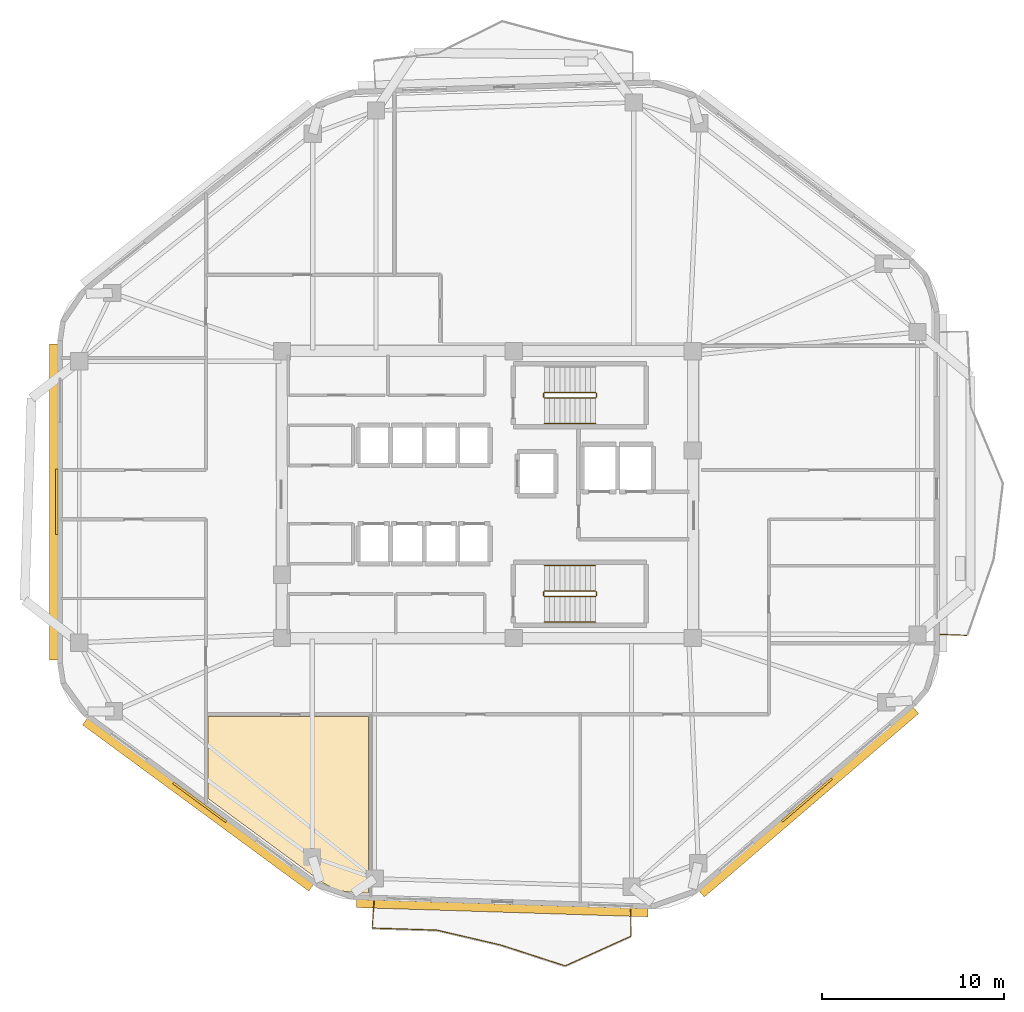
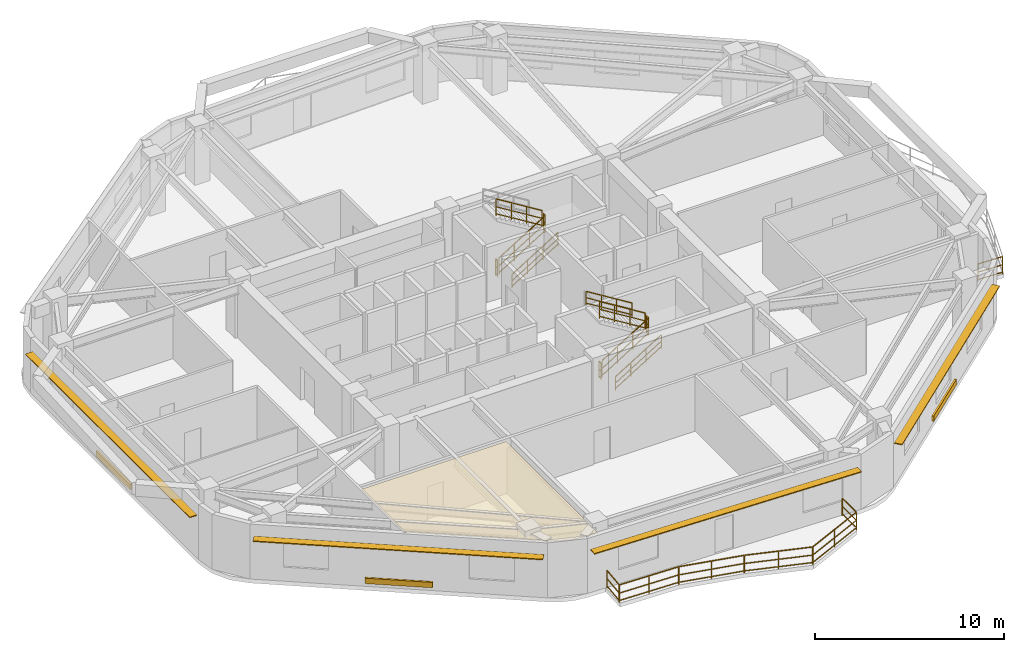
# One storey, part 7 of 8: 18 railings, 7 shading devices, 1 covering.
"""IFC4 building model written with IfcOpenShell, lengths in metres."""

from ifc_helpers import new_model, si_unit, direction, frame, origin, origin_2d, place, context, subcontext, project, spatial, polyline, rectangle, outline, extrude, material, layer, layer_set, type_object, element, save


model = new_model("IFC4")

# Units and contexts
model_context = context("Model", 3, precision=1e-05, world=origin(), true_north=direction((0.0, 1.0)))
body_context = subcontext(model_context, "Body", "Model", "MODEL_VIEW")
ifc_project = project(units=[si_unit("LENGTHUNIT", "METRE"), si_unit("AREAUNIT", "SQUARE_METRE"), si_unit("VOLUMEUNIT", "CUBIC_METRE"), si_unit("PLANEANGLEUNIT", "RADIAN"), si_unit("MASSUNIT", "GRAM", prefix="KILO")], contexts=[model_context])

# Site, building, storey
site_placement = place(None, origin())
site = spatial("IfcSite", under=ifc_project, at=site_placement, CompositionType="ELEMENT")
building_placement = place(site_placement, origin())
building = spatial("IfcBuilding", under=site, at=building_placement, Name="Zulverin Broadcast Headquarters", CompositionType="ELEMENT")
storey_placement = place(building_placement, frame((0.0, 0.0, 182.0)))
storey = spatial("IfcBuildingStorey", under=building, at=storey_placement, Name="L46", CompositionType="ELEMENT", Elevation=182.0)

# Covering
ifc_material_1 = material(Name="Perforated pale-metal acoustic baffle ceiling", Category="aluminium")
ifc_layer_1 = layer(ifc_material_1, 0.0400390625, Name="Perforated pale-metal acoustic baffle ceiling", Category="aluminium")
ifc_layer_set_1 = layer_set([ifc_layer_1], Name="Perforated pale-metal acoustic baffle ceiling")
covering_type = type_object("IfcCoveringType", Name="COV-CEIL-ACOU", PredefinedType="CEILING", material=ifc_layer_set_1)
covering_placement = place(storey_placement, frame((0.0, 0.0, 3.360107421875)))
element("IfcCovering", 1, at=covering_placement, inside=storey, type_object=covering_type, Name="L46 Acoustic Baffle Ceiling 03", PredefinedType="CEILING", context=body_context, shape_type="SweptSolid", body=[
    extrude(outline(polyline([(28.39599609375, 3.659912109375), (29.0, 3.447998046875), (29.652099609375, 3.364013671875), (30.47998046875, 3.3359375), (30.47998046875, 13.031982421875), (21.66796875, 13.031982421875), (21.66796875, 8.52001953125), (27.823974609375, 3.99609375), (28.39599609375, 3.659912109375)])), origin(), (0.0, 0.0, 1.0), 0.039794921875),
])

# Railings
ifc_material_2 = material(Name="Brushed stainless steel & laminated glass balustrade", Category="steel")
railing_type_1 = type_object("IfcRailingType", Name="RL-GUARD-1150", PredefinedType="GUARDRAIL", material=ifc_material_2)
railing_1_placement = place(storey_placement, frame((61.840087890625, 17.529296875, 0.0)))
element("IfcRailing", 2, at=railing_1_placement, inside=storey, type_object=railing_type_1, Name="L46 Vertical-Forest Balcony Guardrail BAL_E Segment 01", PredefinedType="GUARDRAIL", context=body_context, shape_type="SweptSolid", body=[
    extrude(rectangle(XDim=0.048095703125, YDim=0.048095703125, at=origin_2d()), frame((0.0, 0.0, 1.1259765625), z_axis=(0.99918088253, -0.040466825742, 0.0), x_axis=(0.040466825742, 0.99918088253, 0.0)), (0.0, 0.0, 1.0), 1.466064453125),
    extrude(rectangle(XDim=0.0419921875, YDim=0.0419921875, at=origin_2d()), frame((0.0, 0.0, 0.597900390625), z_axis=(0.99918088253, -0.040466825742, 0.0), x_axis=(0.040466825742, 0.99918088253, 0.0)), (0.0, 0.0, 1.0), 1.466064453125),
    extrude(rectangle(XDim=0.0419921875, YDim=0.0419921875, at=origin_2d()), frame((0.0, 0.0, 0.1201171875), z_axis=(0.99918088253, -0.040466825742, 0.0), x_axis=(0.040466825742, 0.99918088253, 0.0)), (0.0, 0.0, 1.0), 1.466064453125),
    extrude(rectangle(XDim=0.0419921875, YDim=0.0419921875, at=origin_2d()), origin(), (0.0, 0.0, 1.0), 1.101806640625),
    extrude(rectangle(XDim=0.0419921875, YDim=0.0419921875, at=origin_2d()), frame((1.46484375, -0.059326171875, 0.0)), (0.0, 0.0, 1.0), 1.101806640625),
])
railing_2_placement = place(storey_placement, frame((30.779296875, 2.8876953125, 0.0)))
element("IfcRailing", 3, at=railing_2_placement, inside=storey, type_object=railing_type_1, Name="L46 Vertical-Forest Balcony Guardrail BAL_S Segment 01", PredefinedType="GUARDRAIL", context=body_context, shape_type="SweptSolid", body=[
    extrude(rectangle(XDim=0.048095703125, YDim=0.048095703125, at=origin_2d()), frame((0.0, 0.0, 1.1259765625), z_axis=(-0.072276661537, -0.997384621997, 0.0), x_axis=(0.997384621997, -0.072276661537, 0.0)), (0.0, 0.0, 1.0), 1.466064453125),
    extrude(rectangle(XDim=0.0419921875, YDim=0.0419921875, at=origin_2d()), frame((0.0, 0.0, 0.597900390625), z_axis=(-0.072276661537, -0.997384621997, 0.0), x_axis=(0.997384621997, -0.072276661537, 0.0)), (0.0, 0.0, 1.0), 1.466064453125),
    extrude(rectangle(XDim=0.0419921875, YDim=0.0419921875, at=origin_2d()), frame((0.0, 0.0, 0.1201171875), z_axis=(-0.072276661537, -0.997384621997, 0.0), x_axis=(0.997384621997, -0.072276661537, 0.0)), (0.0, 0.0, 1.0), 1.466064453125),
    extrude(rectangle(XDim=0.0419921875, YDim=0.0419921875, at=origin_2d()), origin(), (0.0, 0.0, 1.0), 1.101806640625),
    extrude(rectangle(XDim=0.0419921875, YDim=0.0419921875, at=origin_2d()), frame((-0.10595703125, -1.462158203125, 0.0)), (0.0, 0.0, 1.0), 1.101806640625),
])
railing_3_placement = place(storey_placement, frame((30.687255859375, 1.409912109375, 0.0)))
element("IfcRailing", 4, at=railing_3_placement, inside=storey, type_object=railing_type_1, Name="L46 Vertical-Forest Balcony Guardrail BAL_S Segment 02", PredefinedType="GUARDRAIL", context=body_context, shape_type="SweptSolid", body=[
    extrude(rectangle(XDim=0.048095703125, YDim=0.048095703125, at=origin_2d()), frame((0.0, 0.0, 1.1259765625), z_axis=(0.999498114007, -0.031678385332, 0.0), x_axis=(0.031678385332, 0.999498114007, 0.0)), (0.0, 0.0, 1.0), 3.52197265625),
    extrude(rectangle(XDim=0.0419921875, YDim=0.0419921875, at=origin_2d()), frame((0.0, 0.0, 0.597900390625), z_axis=(0.999498114007, -0.031678385332, 0.0), x_axis=(0.031678385332, 0.999498114007, 0.0)), (0.0, 0.0, 1.0), 3.52197265625),
    extrude(rectangle(XDim=0.0419921875, YDim=0.0419921875, at=origin_2d()), frame((0.0, 0.0, 0.1201171875), z_axis=(0.999498114007, -0.031678385332, 0.0), x_axis=(0.031678385332, 0.999498114007, 0.0)), (0.0, 0.0, 1.0), 3.52197265625),
    extrude(rectangle(XDim=0.0419921875, YDim=0.0419921875, at=origin_2d()), origin(), (0.0, 0.0, 1.0), 1.101806640625),
    extrude(rectangle(XDim=0.0419921875, YDim=0.0419921875, at=origin_2d()), frame((1.76025390625, -0.0556640625, 0.0)), (0.0, 0.0, 1.0), 1.101806640625),
    extrude(rectangle(XDim=0.0419921875, YDim=0.0419921875, at=origin_2d()), frame((3.520263671875, -0.111572265625, 0.0)), (0.0, 0.0, 1.0), 1.101806640625),
])
railing_4_placement = place(storey_placement, frame((34.2373046875, 1.29443359375, 0.0)))
element("IfcRailing", 5, at=railing_4_placement, inside=storey, type_object=railing_type_1, Name="L46 Vertical-Forest Balcony Guardrail BAL_S Segment 03", PredefinedType="GUARDRAIL", context=body_context, shape_type="SweptSolid", body=[
    extrude(rectangle(XDim=0.048095703125, YDim=0.048095703125, at=origin_2d()), frame((0.0, 0.0, 1.1259765625), z_axis=(0.97381764363, -0.22733058957, 0.0), x_axis=(0.22733058957, 0.97381764363, 0.0)), (0.0, 0.0, 1.0), 3.59228515625),
    extrude(rectangle(XDim=0.0419921875, YDim=0.0419921875, at=origin_2d()), frame((0.0, 0.0, 0.597900390625), z_axis=(0.97381764363, -0.22733058957, 0.0), x_axis=(0.22733058957, 0.97381764363, 0.0)), (0.0, 0.0, 1.0), 3.59228515625),
    extrude(rectangle(XDim=0.0419921875, YDim=0.0419921875, at=origin_2d()), frame((0.0, 0.0, 0.1201171875), z_axis=(0.97381764363, -0.22733058957, 0.0), x_axis=(0.22733058957, 0.97381764363, 0.0)), (0.0, 0.0, 1.0), 3.59228515625),
    extrude(rectangle(XDim=0.0419921875, YDim=0.0419921875, at=origin_2d()), origin(), (0.0, 0.0, 1.0), 1.101806640625),
    extrude(rectangle(XDim=0.0419921875, YDim=0.0419921875, at=origin_2d()), frame((1.7490234375, -0.408203125, 0.0)), (0.0, 0.0, 1.0), 1.101806640625),
    extrude(rectangle(XDim=0.0419921875, YDim=0.0419921875, at=origin_2d()), frame((3.498291015625, -0.816650390625, 0.0)), (0.0, 0.0, 1.0), 1.101806640625),
])
railing_5_placement = place(storey_placement, frame((37.7646484375, 0.4697265625, 0.0)))
element("IfcRailing", 6, at=railing_5_placement, inside=storey, type_object=railing_type_1, Name="L46 Vertical-Forest Balcony Guardrail BAL_S Segment 04", PredefinedType="GUARDRAIL", context=body_context, shape_type="SweptSolid", body=[
    extrude(rectangle(XDim=0.048095703125, YDim=0.048095703125, at=origin_2d()), frame((0.0, 0.0, 1.1259765625), z_axis=(0.951201700689, -0.30856980508, 0.0), x_axis=(0.30856980508, 0.951201700689, 0.0)), (0.0, 0.0, 1.0), 3.66796875),
    extrude(rectangle(XDim=0.0419921875, YDim=0.0419921875, at=origin_2d()), frame((0.0, 0.0, 0.597900390625), z_axis=(0.951201700689, -0.30856980508, 0.0), x_axis=(0.30856980508, 0.951201700689, 0.0)), (0.0, 0.0, 1.0), 3.66796875),
    extrude(rectangle(XDim=0.0419921875, YDim=0.0419921875, at=origin_2d()), frame((0.0, 0.0, 0.1201171875), z_axis=(0.951201700689, -0.30856980508, 0.0), x_axis=(0.30856980508, 0.951201700689, 0.0)), (0.0, 0.0, 1.0), 3.66796875),
    extrude(rectangle(XDim=0.0419921875, YDim=0.0419921875, at=origin_2d()), origin(), (0.0, 0.0, 1.0), 1.101806640625),
    extrude(rectangle(XDim=0.0419921875, YDim=0.0419921875, at=origin_2d()), frame((1.74462890625, -0.56591796875, 0.0)), (0.0, 0.0, 1.0), 1.101806640625),
    extrude(rectangle(XDim=0.0419921875, YDim=0.0419921875, at=origin_2d()), frame((3.489013671875, -1.1318359375, 0.0)), (0.0, 0.0, 1.0), 1.101806640625),
])
railing_6_placement = place(storey_placement, frame((41.28173828125, -0.660400390625, 0.0)))
element("IfcRailing", 7, at=railing_6_placement, inside=storey, type_object=railing_type_1, Name="L46 Vertical-Forest Balcony Guardrail BAL_S Segment 05", PredefinedType="GUARDRAIL", context=body_context, shape_type="SweptSolid", body=[
    extrude(rectangle(XDim=0.048095703125, YDim=0.048095703125, at=origin_2d()), frame((0.0, 0.0, 1.1259765625), z_axis=(0.911530077247, 0.411233410941, 0.0), x_axis=(-0.411233410941, 0.911530077247, 0.0)), (0.0, 0.0, 1.0), 3.92529296875),
    extrude(rectangle(XDim=0.0419921875, YDim=0.0419921875, at=origin_2d()), frame((0.0, 0.0, 0.597900390625), z_axis=(0.911530077247, 0.411233410941, 0.0), x_axis=(-0.411233410941, 0.911530077247, 0.0)), (0.0, 0.0, 1.0), 3.92529296875),
    extrude(rectangle(XDim=0.0419921875, YDim=0.0419921875, at=origin_2d()), frame((0.0, 0.0, 0.1201171875), z_axis=(0.911530077247, 0.411233410941, 0.0), x_axis=(-0.411233410941, 0.911530077247, 0.0)), (0.0, 0.0, 1.0), 3.92529296875),
    extrude(rectangle(XDim=0.0419921875, YDim=0.0419921875, at=origin_2d()), origin(), (0.0, 0.0, 1.0), 1.101806640625),
    extrude(rectangle(XDim=0.0419921875, YDim=0.0419921875, at=origin_2d()), frame((1.7890625, 0.80712890625, 0.0)), (0.0, 0.0, 1.0), 1.101806640625),
    extrude(rectangle(XDim=0.0419921875, YDim=0.0419921875, at=origin_2d()), frame((3.578125, 1.6142578125, 0.0)), (0.0, 0.0, 1.0), 1.101806640625),
])
railing_7_placement = place(storey_placement, frame((44.873291015625, 0.97509765625, 0.0)))
element("IfcRailing", 8, at=railing_7_placement, inside=storey, type_object=railing_type_1, Name="L46 Vertical-Forest Balcony Guardrail BAL_S Segment 06", PredefinedType="GUARDRAIL", context=body_context, shape_type="SweptSolid", body=[
    extrude(rectangle(XDim=0.048095703125, YDim=0.048095703125, at=origin_2d()), frame((0.0, 0.0, 1.1259765625), z_axis=(-0.008659125807, 0.999962509067, 0.0), x_axis=(-0.999962509067, -0.008659125807, 0.0)), (0.0, 0.0, 1.0), 1.466064453125),
    extrude(rectangle(XDim=0.0419921875, YDim=0.0419921875, at=origin_2d()), frame((0.0, 0.0, 0.597900390625), z_axis=(-0.008659125807, 0.999962509067, 0.0), x_axis=(-0.999962509067, -0.008659125807, 0.0)), (0.0, 0.0, 1.0), 1.466064453125),
    extrude(rectangle(XDim=0.0419921875, YDim=0.0419921875, at=origin_2d()), frame((0.0, 0.0, 0.1201171875), z_axis=(-0.008659125807, 0.999962509067, 0.0), x_axis=(-0.999962509067, -0.008659125807, 0.0)), (0.0, 0.0, 1.0), 1.466064453125),
    extrude(rectangle(XDim=0.0419921875, YDim=0.0419921875, at=origin_2d()), origin(), (0.0, 0.0, 1.0), 1.101806640625),
    extrude(rectangle(XDim=0.0419921875, YDim=0.0419921875, at=origin_2d()), frame((-0.0126953125, 1.466064453125, 0.0)), (0.0, 0.0, 1.0), 1.101806640625),
])
ifc_material_3 = material(Name="Painted galvanized steel tubular guardrail S355JR", Category="steel")
railing_type_2 = type_object("IfcRailingType", Name="RL-ST-GUARD", PredefinedType="GUARDRAIL", material=ifc_material_3)
railing_8_placement = place(storey_placement, frame((40.1298828125, 30.5, 0.172607421875)))
element("IfcRailing", 9, at=railing_8_placement, inside=storey, type_object=railing_type_2, Name="L46 ST-1 stair guard 1", PredefinedType="GUARDRAIL", context=body_context, shape_type="SweptSolid", body=[
    extrude(rectangle(XDim=0.048095703125, YDim=0.048095703125, at=origin_2d()), frame((0.0, 0.0, 1.076171875), z_axis=(0.851089632645, 0.0, 0.525020415988), x_axis=(0.0, 1.0, 0.0)), (0.0, 0.0, 1.0), 3.2900390625),
    extrude(rectangle(XDim=0.0419921875, YDim=0.0419921875, at=origin_2d()), frame((0.0, 0.0, 0.572021484375), z_axis=(0.851089632645, 0.0, 0.525020415988), x_axis=(0.0, 1.0, 0.0)), (0.0, 0.0, 1.0), 3.2900390625),
    extrude(rectangle(XDim=0.0419921875, YDim=0.0419921875, at=origin_2d()), frame((0.0, 0.0, 0.1201171875), z_axis=(0.851089632645, 0.0, 0.525020415988), x_axis=(0.0, 1.0, 0.0)), (0.0, 0.0, 1.0), 3.2900390625),
    extrude(rectangle(XDim=0.0419921875, YDim=0.0419921875, at=origin_2d()), origin(), (0.0, 0.0, 1.0), 1.052001953125),
    extrude(rectangle(XDim=0.0419921875, YDim=0.0419921875, at=origin_2d()), frame((0.933349609375, 0.0, 0.57568359375)), (0.0, 0.0, 1.0), 1.052001953125),
    extrude(rectangle(XDim=0.0419921875, YDim=0.0419921875, at=origin_2d()), frame((1.86669921875, 0.0, 1.151611328125)), (0.0, 0.0, 1.0), 1.052001953125),
    extrude(rectangle(XDim=0.0419921875, YDim=0.0419921875, at=origin_2d()), frame((2.800048828125, 0.0, 1.727294921875)), (0.0, 0.0, 1.0), 1.052001953125),
])
railing_9_placement = place(storey_placement, frame((42.97998046875, 30.550048828125, 1.89990234375)))
element("IfcRailing", 10, at=railing_9_placement, inside=storey, type_object=railing_type_2, Name="L46 ST-1 stair guard 2", PredefinedType="GUARDRAIL", context=body_context, shape_type="SweptSolid", body=[
    extrude(rectangle(XDim=0.048095703125, YDim=0.048095703125, at=origin_2d()), frame((0.0, 0.0, 1.076171875), z_axis=(0.0, 1.0, 0.0), x_axis=(-1.0, 0.0, 0.0)), (0.0, 0.0, 1.0), 0.199951171875),
    extrude(rectangle(XDim=0.0419921875, YDim=0.0419921875, at=origin_2d()), frame((0.0, 0.0, 0.572021484375), z_axis=(0.0, 1.0, 0.0), x_axis=(-1.0, 0.0, 0.0)), (0.0, 0.0, 1.0), 0.199951171875),
    extrude(rectangle(XDim=0.0419921875, YDim=0.0419921875, at=origin_2d()), frame((0.0, 0.0, 0.1201171875), z_axis=(0.0, 1.0, 0.0), x_axis=(-1.0, 0.0, 0.0)), (0.0, 0.0, 1.0), 0.199951171875),
    extrude(rectangle(XDim=0.0419921875, YDim=0.0419921875, at=origin_2d()), origin(), (0.0, 0.0, 1.0), 1.052001953125),
    extrude(rectangle(XDim=0.0419921875, YDim=0.0419921875, at=origin_2d()), frame((0.0, 0.199951171875, 0.0)), (0.0, 0.0, 1.0), 1.052001953125),
])
railing_10_placement = place(storey_placement, frame((42.929931640625, 30.800048828125, 2.07275390625)))
element("IfcRailing", 11, at=railing_10_placement, inside=storey, type_object=railing_type_2, Name="L46 ST-1 stair guard 3", PredefinedType="GUARDRAIL", context=body_context, shape_type="SweptSolid", body=[
    extrude(rectangle(XDim=0.048095703125, YDim=0.048095703125, at=origin_2d()), frame((0.0, 0.0, 1.076171875), z_axis=(-0.851089632645, 0.0, 0.525020415988), x_axis=(0.0, -1.0, 0.0)), (0.0, 0.0, 1.0), 3.2900390625),
    extrude(rectangle(XDim=0.0419921875, YDim=0.0419921875, at=origin_2d()), frame((0.0, 0.0, 0.572021484375), z_axis=(-0.851089632645, 0.0, 0.525020415988), x_axis=(0.0, -1.0, 0.0)), (0.0, 0.0, 1.0), 3.2900390625),
    extrude(rectangle(XDim=0.0419921875, YDim=0.0419921875, at=origin_2d()), frame((0.0, 0.0, 0.1201171875), z_axis=(-0.851089632645, 0.0, 0.525020415988), x_axis=(0.0, -1.0, 0.0)), (0.0, 0.0, 1.0), 3.2900390625),
    extrude(rectangle(XDim=0.0419921875, YDim=0.0419921875, at=origin_2d()), origin(), (0.0, 0.0, 1.0), 1.052001953125),
    extrude(rectangle(XDim=0.0419921875, YDim=0.0419921875, at=origin_2d()), frame((-0.933349609375, 0.0, 0.57568359375)), (0.0, 0.0, 1.0), 1.052001953125),
    extrude(rectangle(XDim=0.0419921875, YDim=0.0419921875, at=origin_2d()), frame((-1.86669921875, 0.0, 1.151611328125)), (0.0, 0.0, 1.0), 1.052001953125),
    extrude(rectangle(XDim=0.0419921875, YDim=0.0419921875, at=origin_2d()), frame((-2.800048828125, 0.0, 1.727294921875)), (0.0, 0.0, 1.0), 1.052001953125),
])
railing_11_placement = place(storey_placement, frame((40.080078125, 30.550048828125, 0.0)))
element("IfcRailing", 12, at=railing_11_placement, inside=storey, type_object=railing_type_2, Name="L46 ST-1 stair guard 4", PredefinedType="GUARDRAIL", context=body_context, shape_type="SweptSolid", body=[
    extrude(rectangle(XDim=0.048095703125, YDim=0.048095703125, at=origin_2d()), frame((0.0, 0.0, 1.076171875), z_axis=(0.0, 1.0, 0.0), x_axis=(-1.0, 0.0, 0.0)), (0.0, 0.0, 1.0), 0.199951171875),
    extrude(rectangle(XDim=0.0419921875, YDim=0.0419921875, at=origin_2d()), frame((0.0, 0.0, 0.572021484375), z_axis=(0.0, 1.0, 0.0), x_axis=(-1.0, 0.0, 0.0)), (0.0, 0.0, 1.0), 0.199951171875),
    extrude(rectangle(XDim=0.0419921875, YDim=0.0419921875, at=origin_2d()), frame((0.0, 0.0, 0.1201171875), z_axis=(0.0, 1.0, 0.0), x_axis=(-1.0, 0.0, 0.0)), (0.0, 0.0, 1.0), 0.199951171875),
    extrude(rectangle(XDim=0.0419921875, YDim=0.0419921875, at=origin_2d()), origin(), (0.0, 0.0, 1.0), 1.052001953125),
    extrude(rectangle(XDim=0.0419921875, YDim=0.0419921875, at=origin_2d()), frame((0.0, 0.199951171875, 0.0)), (0.0, 0.0, 1.0), 1.052001953125),
])
railing_12_placement = place(storey_placement, frame((40.1298828125, 19.60009765625, 0.172607421875)))
element("IfcRailing", 13, at=railing_12_placement, inside=storey, type_object=railing_type_2, Name="L46 ST-2 stair guard 1", PredefinedType="GUARDRAIL", context=body_context, shape_type="SweptSolid", body=[
    extrude(rectangle(XDim=0.048095703125, YDim=0.048095703125, at=origin_2d()), frame((0.0, 0.0, 1.076171875), z_axis=(0.851089632645, 0.0, 0.525020415988), x_axis=(0.0, 1.0, 0.0)), (0.0, 0.0, 1.0), 3.2900390625),
    extrude(rectangle(XDim=0.0419921875, YDim=0.0419921875, at=origin_2d()), frame((0.0, 0.0, 0.572021484375), z_axis=(0.851089632645, 0.0, 0.525020415988), x_axis=(0.0, 1.0, 0.0)), (0.0, 0.0, 1.0), 3.2900390625),
    extrude(rectangle(XDim=0.0419921875, YDim=0.0419921875, at=origin_2d()), frame((0.0, 0.0, 0.1201171875), z_axis=(0.851089632645, 0.0, 0.525020415988), x_axis=(0.0, 1.0, 0.0)), (0.0, 0.0, 1.0), 3.2900390625),
    extrude(rectangle(XDim=0.0419921875, YDim=0.0419921875, at=origin_2d()), origin(), (0.0, 0.0, 1.0), 1.052001953125),
    extrude(rectangle(XDim=0.0419921875, YDim=0.0419921875, at=origin_2d()), frame((0.933349609375, 0.0, 0.57568359375)), (0.0, 0.0, 1.0), 1.052001953125),
    extrude(rectangle(XDim=0.0419921875, YDim=0.0419921875, at=origin_2d()), frame((1.86669921875, 0.0, 1.151611328125)), (0.0, 0.0, 1.0), 1.052001953125),
    extrude(rectangle(XDim=0.0419921875, YDim=0.0419921875, at=origin_2d()), frame((2.800048828125, 0.0, 1.727294921875)), (0.0, 0.0, 1.0), 1.052001953125),
])
railing_13_placement = place(storey_placement, frame((42.97998046875, 19.64990234375, 1.89990234375)))
element("IfcRailing", 14, at=railing_13_placement, inside=storey, type_object=railing_type_2, Name="L46 ST-2 stair guard 2", PredefinedType="GUARDRAIL", context=body_context, shape_type="SweptSolid", body=[
    extrude(rectangle(XDim=0.048095703125, YDim=0.048095703125, at=origin_2d()), frame((0.0, 0.0, 1.076171875), z_axis=(0.0, 1.0, 0.0), x_axis=(-1.0, 0.0, 0.0)), (0.0, 0.0, 1.0), 0.2001953125),
    extrude(rectangle(XDim=0.0419921875, YDim=0.0419921875, at=origin_2d()), frame((0.0, 0.0, 0.572021484375), z_axis=(0.0, 1.0, 0.0), x_axis=(-1.0, 0.0, 0.0)), (0.0, 0.0, 1.0), 0.2001953125),
    extrude(rectangle(XDim=0.0419921875, YDim=0.0419921875, at=origin_2d()), frame((0.0, 0.0, 0.1201171875), z_axis=(0.0, 1.0, 0.0), x_axis=(-1.0, 0.0, 0.0)), (0.0, 0.0, 1.0), 0.2001953125),
    extrude(rectangle(XDim=0.0419921875, YDim=0.0419921875, at=origin_2d()), origin(), (0.0, 0.0, 1.0), 1.052001953125),
    extrude(rectangle(XDim=0.0419921875, YDim=0.0419921875, at=origin_2d()), frame((0.0, 0.2001953125, 0.0)), (0.0, 0.0, 1.0), 1.052001953125),
])
railing_14_placement = place(storey_placement, frame((42.929931640625, 19.89990234375, 2.07275390625)))
element("IfcRailing", 15, at=railing_14_placement, inside=storey, type_object=railing_type_2, Name="L46 ST-2 stair guard 3", PredefinedType="GUARDRAIL", context=body_context, shape_type="SweptSolid", body=[
    extrude(rectangle(XDim=0.048095703125, YDim=0.048095703125, at=origin_2d()), frame((0.0, 0.0, 1.076171875), z_axis=(-0.851089632645, 0.0, 0.525020415988), x_axis=(0.0, -1.0, 0.0)), (0.0, 0.0, 1.0), 3.2900390625),
    extrude(rectangle(XDim=0.0419921875, YDim=0.0419921875, at=origin_2d()), frame((0.0, 0.0, 0.572021484375), z_axis=(-0.851089632645, 0.0, 0.525020415988), x_axis=(0.0, -1.0, 0.0)), (0.0, 0.0, 1.0), 3.2900390625),
    extrude(rectangle(XDim=0.0419921875, YDim=0.0419921875, at=origin_2d()), frame((0.0, 0.0, 0.1201171875), z_axis=(-0.851089632645, 0.0, 0.525020415988), x_axis=(0.0, -1.0, 0.0)), (0.0, 0.0, 1.0), 3.2900390625),
    extrude(rectangle(XDim=0.0419921875, YDim=0.0419921875, at=origin_2d()), origin(), (0.0, 0.0, 1.0), 1.052001953125),
    extrude(rectangle(XDim=0.0419921875, YDim=0.0419921875, at=origin_2d()), frame((-0.933349609375, 0.0, 0.57568359375)), (0.0, 0.0, 1.0), 1.052001953125),
    extrude(rectangle(XDim=0.0419921875, YDim=0.0419921875, at=origin_2d()), frame((-1.86669921875, 0.0, 1.151611328125)), (0.0, 0.0, 1.0), 1.052001953125),
    extrude(rectangle(XDim=0.0419921875, YDim=0.0419921875, at=origin_2d()), frame((-2.800048828125, 0.0, 1.727294921875)), (0.0, 0.0, 1.0), 1.052001953125),
])
railing_15_placement = place(storey_placement, frame((40.080078125, 19.64990234375, 0.0)))
element("IfcRailing", 16, at=railing_15_placement, inside=storey, type_object=railing_type_2, Name="L46 ST-2 stair guard 4", PredefinedType="GUARDRAIL", context=body_context, shape_type="SweptSolid", body=[
    extrude(rectangle(XDim=0.048095703125, YDim=0.048095703125, at=origin_2d()), frame((0.0, 0.0, 1.076171875), z_axis=(0.0, 1.0, 0.0), x_axis=(-1.0, 0.0, 0.0)), (0.0, 0.0, 1.0), 0.2001953125),
    extrude(rectangle(XDim=0.0419921875, YDim=0.0419921875, at=origin_2d()), frame((0.0, 0.0, 0.572021484375), z_axis=(0.0, 1.0, 0.0), x_axis=(-1.0, 0.0, 0.0)), (0.0, 0.0, 1.0), 0.2001953125),
    extrude(rectangle(XDim=0.0419921875, YDim=0.0419921875, at=origin_2d()), frame((0.0, 0.0, 0.1201171875), z_axis=(0.0, 1.0, 0.0), x_axis=(-1.0, 0.0, 0.0)), (0.0, 0.0, 1.0), 0.2001953125),
    extrude(rectangle(XDim=0.0419921875, YDim=0.0419921875, at=origin_2d()), origin(), (0.0, 0.0, 1.0), 1.052001953125),
    extrude(rectangle(XDim=0.0419921875, YDim=0.0419921875, at=origin_2d()), frame((0.0, 0.2001953125, 0.0)), (0.0, 0.0, 1.0), 1.052001953125),
])
ifc_material_4 = material(Name="Brushed stainless steel 48 mm handrail", Category="steel")
railing_type_3 = type_object("IfcRailingType", Name="RL-ST-HAND", PredefinedType="HANDRAIL", material=ifc_material_4)
for number, where, name in (
    (17, (40.1298828125, 29.10009765625, 0.172607421875), "L46 ST-1 stair handrail 1"),
    (18, (40.1298828125, 18.199951171875, 0.172607421875), "L46 ST-2 stair handrail 1"),
):
    element("IfcRailing", number, at=place(storey_placement, frame(where)), inside=storey, type_object=railing_type_3, Name=name, PredefinedType="HANDRAIL", context=body_context, shape_type="SweptSolid", body=[
        extrude(rectangle(XDim=0.048095703125, YDim=0.048095703125, at=origin_2d()), frame((0.0, 0.0, 0.8759765625), z_axis=(0.851089632645, 0.0, 0.525020415988), x_axis=(0.0, 1.0, 0.0)), (0.0, 0.0, 1.0), 3.2900390625),
        extrude(rectangle(XDim=0.0419921875, YDim=0.0419921875, at=origin_2d()), frame((0.0, 0.0, 0.468017578125), z_axis=(0.851089632645, 0.0, 0.525020415988), x_axis=(0.0, 1.0, 0.0)), (0.0, 0.0, 1.0), 3.2900390625),
        extrude(rectangle(XDim=0.0419921875, YDim=0.0419921875, at=origin_2d()), frame((0.0, 0.0, 0.1201171875), z_axis=(0.851089632645, 0.0, 0.525020415988), x_axis=(0.0, 1.0, 0.0)), (0.0, 0.0, 1.0), 3.2900390625),
        extrude(rectangle(XDim=0.0419921875, YDim=0.0419921875, at=origin_2d()), origin(), (0.0, 0.0, 1.0), 0.851806640625),
        extrude(rectangle(XDim=0.0419921875, YDim=0.0419921875, at=origin_2d()), frame((0.933349609375, 0.0, 0.57568359375)), (0.0, 0.0, 1.0), 0.851806640625),
        extrude(rectangle(XDim=0.0419921875, YDim=0.0419921875, at=origin_2d()), frame((1.86669921875, 0.0, 1.151611328125)), (0.0, 0.0, 1.0), 0.851806640625),
        extrude(rectangle(XDim=0.0419921875, YDim=0.0419921875, at=origin_2d()), frame((2.800048828125, 0.0, 1.727294921875)), (0.0, 0.0, 1.0), 0.851806640625),
    ])
railing_16_placement = place(storey_placement, frame((42.929931640625, 21.300048828125, 2.07275390625)))
element("IfcRailing", 19, at=railing_16_placement, inside=storey, type_object=railing_type_3, Name="L46 ST-2 stair handrail 2", PredefinedType="HANDRAIL", context=body_context, shape_type="SweptSolid", body=[
    extrude(rectangle(XDim=0.048095703125, YDim=0.048095703125, at=origin_2d()), frame((0.0, 0.0, 0.8759765625), z_axis=(-0.851089632645, 0.0, 0.525020415988), x_axis=(0.0, -1.0, 0.0)), (0.0, 0.0, 1.0), 3.2900390625),
    extrude(rectangle(XDim=0.0419921875, YDim=0.0419921875, at=origin_2d()), frame((0.0, 0.0, 0.468017578125), z_axis=(-0.851089632645, 0.0, 0.525020415988), x_axis=(0.0, -1.0, 0.0)), (0.0, 0.0, 1.0), 3.2900390625),
    extrude(rectangle(XDim=0.0419921875, YDim=0.0419921875, at=origin_2d()), frame((0.0, 0.0, 0.1201171875), z_axis=(-0.851089632645, 0.0, 0.525020415988), x_axis=(0.0, -1.0, 0.0)), (0.0, 0.0, 1.0), 3.2900390625),
    extrude(rectangle(XDim=0.0419921875, YDim=0.0419921875, at=origin_2d()), origin(), (0.0, 0.0, 1.0), 0.851806640625),
    extrude(rectangle(XDim=0.0419921875, YDim=0.0419921875, at=origin_2d()), frame((-0.933349609375, 0.0, 0.57568359375)), (0.0, 0.0, 1.0), 0.851806640625),
    extrude(rectangle(XDim=0.0419921875, YDim=0.0419921875, at=origin_2d()), frame((-1.86669921875, 0.0, 1.151611328125)), (0.0, 0.0, 1.0), 0.851806640625),
    extrude(rectangle(XDim=0.0419921875, YDim=0.0419921875, at=origin_2d()), frame((-2.800048828125, 0.0, 1.727294921875)), (0.0, 0.0, 1.0), 0.851806640625),
])

# Shading devices
ifc_material_5 = material(Name="Anodized pale-metal aluminium acoustic louvre", Category="aluminium")
shading_device_type_1 = type_object("IfcShadingDeviceType", Name="SHD-LOUVRE-350", PredefinedType="USERDEFINED", material=ifc_material_5)
for number, where, z_axis, x_axis, name in (
    (20, (54.53466796875, 8.4404296875, 0.244873046875), (0.0, 0.0, 1.0), (0.759706154917, 0.650266528572, 0.0), "L46 Spandrel Intake Louvre 2"),
    (21, (13.360107421875, 24.797607421875, 0.244873046875), (0.0, 0.0, 1.0), (0.0, -1.0, 0.0), "L46 Spandrel Intake Louvre 7"),
    (22, (21.212158203125, 8.309326171875, 0.244873046875), (0.0, 0.0, 1.0), (0.805802206513, -0.592184771822, 0.0), "L46 Spandrel Intake Louvre 8"),
):
    element("IfcShadingDevice", number, at=place(storey_placement, frame(where, z_axis=z_axis, x_axis=x_axis)), inside=storey, type_object=shading_device_type_1, Name=name, ObjectType="LOUVRE", PredefinedType="USERDEFINED", context=body_context, shape_type="SweptSolid", body=[
        extrude(rectangle(XDim=3.60009765625, YDim=0.1201171875, at=origin_2d()), origin(), (0.0, 0.0, 1.0), 0.35009765625),
    ])
ifc_material_6 = material(Name="Anodized pale-metal aluminium sunshade", Category="aluminium")
ifc_layer_2 = layer(ifc_material_6, 0.06005859375, Name="Anodized pale-metal aluminium sunshade", Category="aluminium")
ifc_layer_set_2 = layer_set([ifc_layer_2], Name="Anodized pale-metal aluminium sunshade")
shading_device_type_2 = type_object("IfcShadingDeviceType", Name="SS-01_PALE_METAL_ALUMINIUM_SUNSHADE", PredefinedType="USERDEFINED", material=ifc_layer_set_2)
shading_device_1_placement = place(storey_placement, frame((37.814697265625, 2.504638671875, 2.7099609375), z_axis=(0.0, 0.0, 1.0), x_axis=(0.999497141269, -0.031709061709, 0.0)))
element("IfcShadingDevice", 23, at=shading_device_1_placement, inside=storey, type_object=shading_device_type_2, Name="L46 Horizontal Pale-Metal Sunshade Band 1", ObjectType="SUNSHADE", PredefinedType="USERDEFINED", context=body_context, shape_type="SweptSolid", body=[
    extrude(rectangle(XDim=16.00830078125, YDim=0.449951171875, at=origin_2d()), origin(), (0.0, 0.0, 1.0), 0.06005859375),
])
shading_device_2_placement = place(storey_placement, frame((54.638671875, 8.319091796875, 2.7099609375), z_axis=(0.0, 0.0, 1.0), x_axis=(0.759706154917, 0.650266528572, 0.0)))
element("IfcShadingDevice", 24, at=shading_device_2_placement, inside=storey, type_object=shading_device_type_2, Name="L46 Horizontal Pale-Metal Sunshade Band 2", ObjectType="SUNSHADE", PredefinedType="USERDEFINED", context=body_context, shape_type="SweptSolid", body=[
    extrude(rectangle(XDim=15.48095703125, YDim=0.449951171875, at=origin_2d()), origin(), (0.0, 0.0, 1.0), 0.06005859375),
])
shading_device_3_placement = place(storey_placement, frame((13.199951171875, 24.797607421875, 2.7099609375), z_axis=(0.0, 0.0, 1.0), x_axis=(0.0, -1.0, 0.0)))
element("IfcShadingDevice", 25, at=shading_device_3_placement, inside=storey, type_object=shading_device_type_2, Name="L46 Horizontal Pale-Metal Sunshade Band 7", ObjectType="SUNSHADE", PredefinedType="USERDEFINED", context=body_context, shape_type="SweptSolid", body=[
    extrude(rectangle(XDim=17.351318359375, YDim=0.449951171875, at=origin_2d()), origin(), (0.0, 0.0, 1.0), 0.06005859375),
])
shading_device_4_placement = place(storey_placement, frame((21.1171875, 8.180419921875, 2.7099609375), z_axis=(0.0, 0.0, 1.0), x_axis=(0.805802206513, -0.592184771822, 0.0)))
element("IfcShadingDevice", 26, at=shading_device_4_placement, inside=storey, type_object=shading_device_type_2, Name="L46 Horizontal Pale-Metal Sunshade Band 8", ObjectType="SUNSHADE", PredefinedType="USERDEFINED", context=body_context, shape_type="SweptSolid", body=[
    extrude(rectangle(XDim=15.404541015625, YDim=0.449951171875, at=origin_2d()), origin(), (0.0, 0.0, 1.0), 0.06005859375),
])

save(model, "model.ifc")
